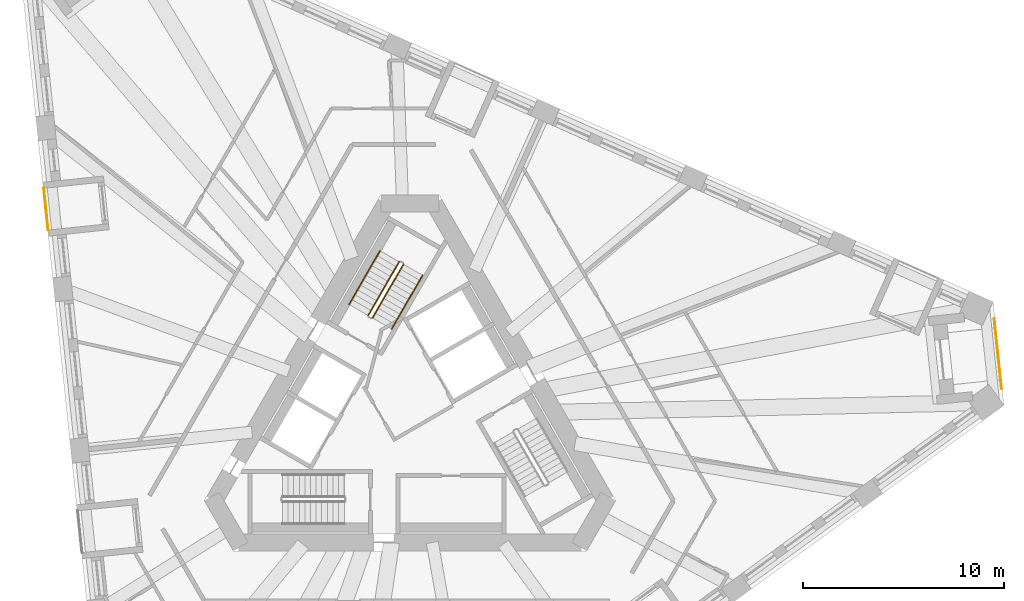
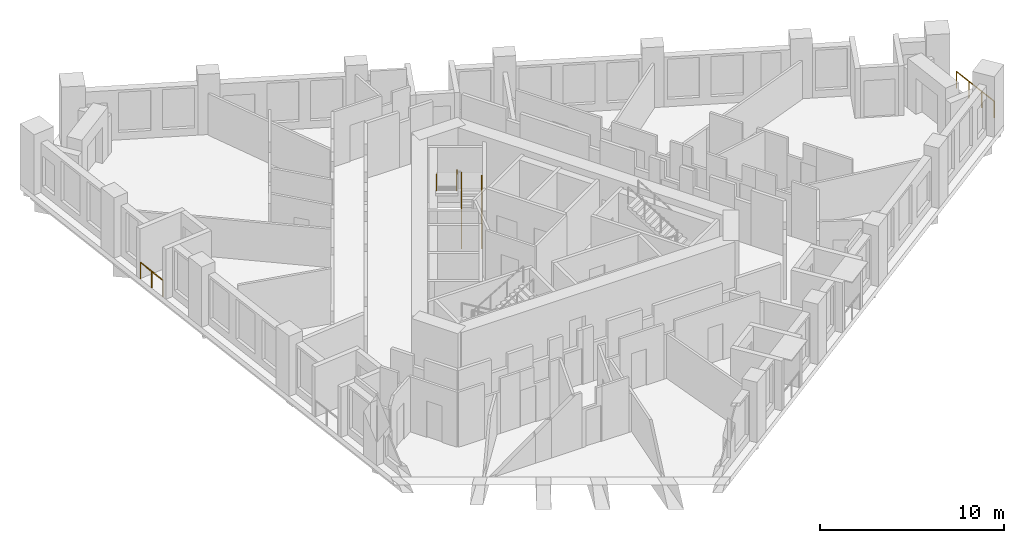
# One storey, part 12 of 14: 6 railings.
"""IFC4 building model written with IfcOpenShell, lengths in metres."""

from ifc_helpers import new_model, si_unit, direction, frame, origin, origin_2d, place, context, subcontext, project, spatial, circle, extrude, material, type_object, element, save


model = new_model("IFC4")

# Units and contexts
model_context = context("Model", 3, precision=1e-05, world=origin(), true_north=direction((0.0, 1.0)))
body_context = subcontext(model_context, "Body", "Model", "MODEL_VIEW")
ifc_project = project(units=[si_unit("LENGTHUNIT", "METRE"), si_unit("AREAUNIT", "SQUARE_METRE"), si_unit("VOLUMEUNIT", "CUBIC_METRE"), si_unit("PLANEANGLEUNIT", "RADIAN"), si_unit("MASSUNIT", "GRAM", prefix="KILO")], contexts=[model_context])

# Site, building, storey
site_placement = place(None, origin())
site = spatial("IfcSite", under=ifc_project, at=site_placement, CompositionType="ELEMENT")
building_placement = place(site_placement, origin())
building = spatial("IfcBuilding", under=site, at=building_placement, Name="Tramontana Tower", CompositionType="ELEMENT")
storey_placement = place(building_placement, frame((0.0, 0.0, 166.800048828125)))
storey = spatial("IfcBuildingStorey", under=building, at=storey_placement, Name="L38", CompositionType="ELEMENT", Elevation=166.800048828125)

# Railings
ifc_material_1 = material(Name="Laminated glass balustrade", Category="glass")
railing_type_1 = type_object("IfcRailingType", Name="GD1 Loggia glass balustrade 1100", PredefinedType="BALUSTRADE", material=ifc_material_1)
railing_1_placement = place(storey_placement, frame((-18.25390625, 11.325439453125, 0.0)))
element("IfcRailing", 1, at=railing_1_placement, inside=storey, type_object=railing_type_1, Name="Loggia balustrade L38 G4S0.4", PredefinedType="BALUSTRADE", context=body_context, shape_type="SweptSolid", body=[
    extrude(circle(Radius=0.02392578125, at=origin_2d()), frame((0.0, 0.0, 1.076171875), z_axis=(0.104569484464, -0.994517583011, 0.0), x_axis=(0.994517583011, 0.104569484464, 0.0)), (0.0, 0.0, 1.0), 2.09423828125),
    extrude(circle(Radius=0.02099609375, at=origin_2d()), origin(), (0.0, 0.0, 1.0), 1.052001953125),
    extrude(circle(Radius=0.02099609375, at=origin_2d()), frame((0.109375, -1.04150390625, 0.0)), (0.0, 0.0, 1.0), 1.052001953125),
    extrude(circle(Radius=0.02099609375, at=origin_2d()), frame((0.218994140625, -2.082763671875, 0.0)), (0.0, 0.0, 1.0), 1.052001953125),
])
railing_2_placement = place(storey_placement, frame((29.125732421875, 4.82080078125, 0.0)))
element("IfcRailing", 2, at=railing_2_placement, inside=storey, type_object=railing_type_1, Name="Corner loggia balustrade L38 K42", PredefinedType="BALUSTRADE", context=body_context, shape_type="SweptSolid", body=[
    extrude(circle(Radius=0.02392578125, at=origin_2d()), frame((0.0, 0.0, 1.076171875), z_axis=(0.104495960989, -0.994525310958, 0.0), x_axis=(0.994525310958, 0.104495960989, 0.0)), (0.0, 0.0, 1.0), 3.499755859375),
    extrude(circle(Radius=0.02099609375, at=origin_2d()), origin(), (0.0, 0.0, 1.0), 1.052001953125),
    extrude(circle(Radius=0.02099609375, at=origin_2d()), frame((0.121826171875, -1.16015625, 0.0)), (0.0, 0.0, 1.0), 1.052001953125),
    extrude(circle(Radius=0.02099609375, at=origin_2d()), frame((0.243896484375, -2.320556640625, 0.0)), (0.0, 0.0, 1.0), 1.052001953125),
    extrude(circle(Radius=0.02099609375, at=origin_2d()), frame((0.36572265625, -3.480712890625, 0.0)), (0.0, 0.0, 1.0), 1.052001953125),
])
ifc_material_2 = material(Name="Painted steel", Category="steel")
railing_type_2 = type_object("IfcRailingType", Name="STAIR GUARD 1100", PredefinedType="GUARDRAIL", material=ifc_material_2)
railing_3_placement = place(storey_placement, frame((-1.867431640625, 4.865478515625, 0.16650390625)))
element("IfcRailing", 3, at=railing_3_placement, inside=storey, type_object=railing_type_2, Name="L38 ST1 stair guard 1", PredefinedType="GUARDRAIL", context=body_context, shape_type="SweptSolid", body=[
    extrude(circle(Radius=0.02392578125, at=origin_2d()), frame((0.0, 0.0, 1.076171875), z_axis=(0.429634447492, 0.7441639146, 0.511502013422), x_axis=(-0.866029832698, 0.499992328818, 0.0)), (0.0, 0.0, 1.0), 3.58447265625),
    extrude(circle(Radius=0.02099609375, at=origin_2d()), origin(), (0.0, 0.0, 1.0), 1.052001953125),
    extrude(circle(Radius=0.02099609375, at=origin_2d()), frame((0.513427734375, 0.88916015625, 0.611083984375)), (0.0, 0.0, 1.0), 1.052001953125),
    extrude(circle(Radius=0.02099609375, at=origin_2d()), frame((1.026611328125, 1.7783203125, 1.222412109375)), (0.0, 0.0, 1.0), 1.052001953125),
    extrude(circle(Radius=0.02099609375, at=origin_2d()), frame((1.5400390625, 2.66748046875, 1.83349609375)), (0.0, 0.0, 1.0), 1.052001953125),
])
railing_4_placement = place(storey_placement, frame((-0.5439453125, 7.657958984375, 2.16650390625)))
element("IfcRailing", 4, at=railing_4_placement, inside=storey, type_object=railing_type_2, Name="L38 ST1 stair guard 2", PredefinedType="GUARDRAIL", context=body_context, shape_type="SweptSolid", body=[
    extrude(circle(Radius=0.02392578125, at=origin_2d()), frame((0.0, 0.0, 1.076171875), z_axis=(-0.429634447492, -0.7441639146, 0.511502013422), x_axis=(0.866029832698, -0.499992328818, 0.0)), (0.0, 0.0, 1.0), 3.58447265625),
    extrude(circle(Radius=0.02099609375, at=origin_2d()), origin(), (0.0, 0.0, 1.0), 1.052001953125),
    extrude(circle(Radius=0.02099609375, at=origin_2d()), frame((-0.513427734375, -0.88916015625, 0.611083984375)), (0.0, 0.0, 1.0), 1.052001953125),
    extrude(circle(Radius=0.02099609375, at=origin_2d()), frame((-1.026611328125, -1.7783203125, 1.222412109375)), (0.0, 0.0, 1.0), 1.052001953125),
    extrude(circle(Radius=0.02099609375, at=origin_2d()), frame((-1.5400390625, -2.66748046875, 1.83349609375)), (0.0, 0.0, 1.0), 1.052001953125),
])
ifc_material_3 = material(Name="Painted steel", Category="steel")
railing_type_3 = type_object("IfcRailingType", Name="STAIR HANDRAIL 900", PredefinedType="HANDRAIL", material=ifc_material_3)
railing_5_placement = place(storey_placement, frame((-0.914794921875, 4.315673828125, 0.16650390625)))
element("IfcRailing", 5, at=railing_5_placement, inside=storey, type_object=railing_type_3, Name="L38 ST1 stair handrail 1", PredefinedType="HANDRAIL", context=body_context, shape_type="SweptSolid", body=[
    extrude(circle(Radius=0.02392578125, at=origin_2d()), frame((0.0, 0.0, 0.8759765625), z_axis=(0.429656224001, 0.744133520484, 0.511527939481), x_axis=(-0.866010015463, 0.500026652407, 0.0)), (0.0, 0.0, 1.0), 3.58447265625),
    extrude(circle(Radius=0.02099609375, at=origin_2d()), origin(), (0.0, 0.0, 1.0), 0.851806640625),
    extrude(circle(Radius=0.02099609375, at=origin_2d()), frame((0.513427734375, 0.88916015625, 0.611083984375)), (0.0, 0.0, 1.0), 0.851806640625),
    extrude(circle(Radius=0.02099609375, at=origin_2d()), frame((1.026611328125, 1.778076171875, 1.222412109375)), (0.0, 0.0, 1.0), 0.851806640625),
    extrude(circle(Radius=0.02099609375, at=origin_2d()), frame((1.5400390625, 2.667236328125, 1.83349609375)), (0.0, 0.0, 1.0), 0.851806640625),
])
railing_6_placement = place(storey_placement, frame((-1.49658203125, 8.2080078125, 2.16650390625)))
element("IfcRailing", 6, at=railing_6_placement, inside=storey, type_object=railing_type_3, Name="L38 ST1 stair handrail 2", PredefinedType="HANDRAIL", context=body_context, shape_type="SweptSolid", body=[
    extrude(circle(Radius=0.02392578125, at=origin_2d()), frame((0.0, 0.0, 0.8759765625), z_axis=(-0.429634447492, -0.7441639146, 0.511502013422), x_axis=(0.866029832698, -0.499992328818, 0.0)), (0.0, 0.0, 1.0), 3.58447265625),
    extrude(circle(Radius=0.02099609375, at=origin_2d()), origin(), (0.0, 0.0, 1.0), 0.851806640625),
    extrude(circle(Radius=0.02099609375, at=origin_2d()), frame((-0.513427734375, -0.88916015625, 0.611083984375)), (0.0, 0.0, 1.0), 0.851806640625),
    extrude(circle(Radius=0.02099609375, at=origin_2d()), frame((-1.026611328125, -1.7783203125, 1.222412109375)), (0.0, 0.0, 1.0), 0.851806640625),
    extrude(circle(Radius=0.02099609375, at=origin_2d()), frame((-1.5400390625, -2.66748046875, 1.83349609375)), (0.0, 0.0, 1.0), 0.851806640625),
])

save(model, "model.ifc")
